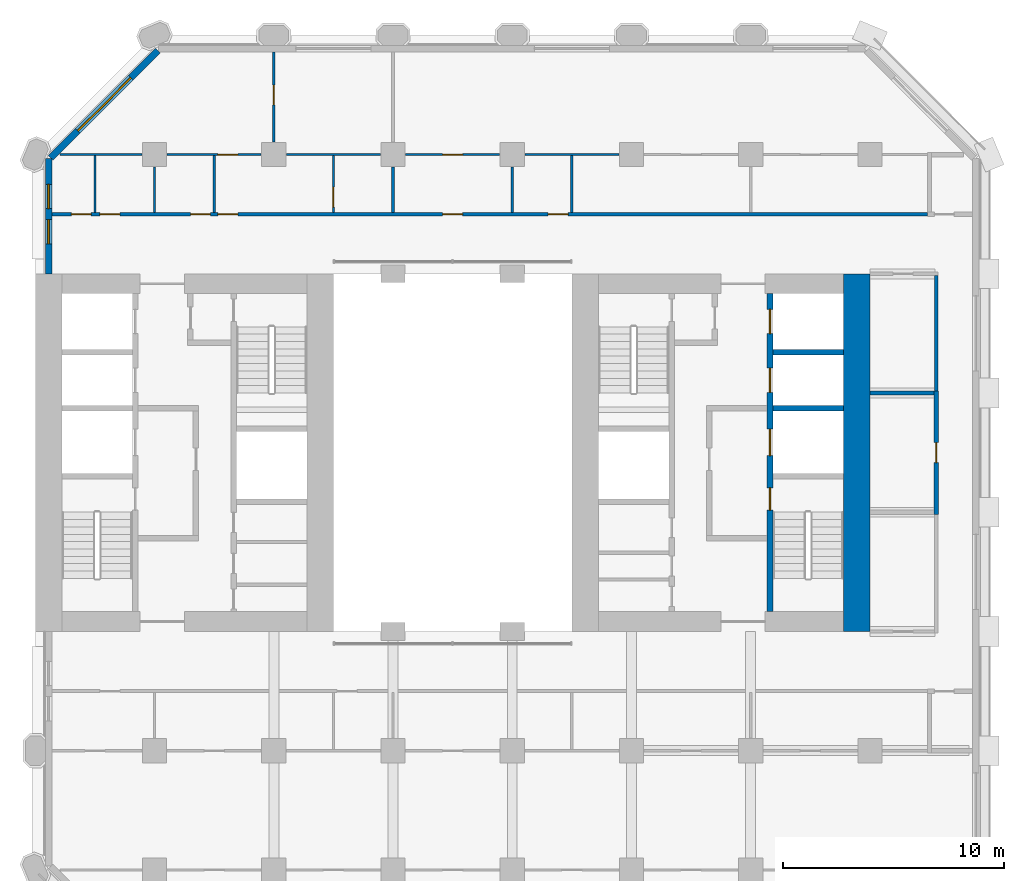
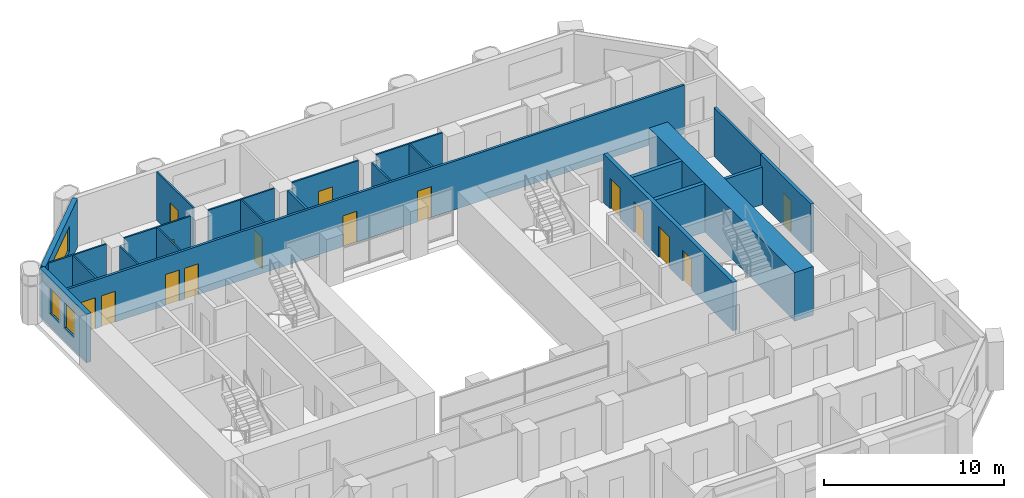
# One storey, part 10 of 13: 23 walls, 15 doors, 3 windows, 18 openings.
"""IFC4 building model written with IfcOpenShell, lengths in metres."""

from ifc_helpers import new_model, si_unit, direction, frame, frame_2d, origin, place, context, subcontext, project, spatial, rectangle, extrude, material, layer, layer_set, type_object, element, fill, save


model = new_model("IFC4")

# Units and contexts
model_context = context("Model", 3, precision=1e-05, world=origin(), true_north=direction((0.0, 1.0)))
body_context = subcontext(model_context, "Body", "Model", "MODEL_VIEW")
ifc_project = project(units=[si_unit("LENGTHUNIT", "METRE"), si_unit("AREAUNIT", "SQUARE_METRE"), si_unit("VOLUMEUNIT", "CUBIC_METRE"), si_unit("PLANEANGLEUNIT", "RADIAN"), si_unit("MASSUNIT", "GRAM", prefix="KILO")], contexts=[model_context])

# Site, building, storey
site_placement = place(None, origin())
site = spatial("IfcSite", under=ifc_project, at=site_placement, CompositionType="ELEMENT")
building_placement = place(site_placement, origin())
building = spatial("IfcBuilding", under=site, at=building_placement, Name="Tabaq Tower and Sports Hall", CompositionType="ELEMENT")
storey_placement = place(building_placement, frame((0.0, 0.0, 56.39990234375)))
storey = spatial("IfcBuildingStorey", under=building, at=storey_placement, Name="L12", CompositionType="ELEMENT", Elevation=56.39990234375)

# Wall
ifc_material_1 = material(Name="Concrete C60/75", Category="concrete")
ifc_layer_1 = layer(ifc_material_1, 1.199951171875)
ifc_layer_set_1 = layer_set([ifc_layer_1], Name="Core wall 1200 Concrete C60/75")
wall_type_1 = type_object("IfcWallType", Name="Core wall 1200 Concrete C60/75", PredefinedType="SOLIDWALL", material=ifc_layer_set_1)
wall_1_placement = place(storey_placement, frame((42.60009765625, 32.39990234375, 0.0), z_axis=(0.0, 0.0, 1.0), x_axis=(0.0, -1.0, 0.0)))
element("IfcWall", 1, at=wall_1_placement, inside=storey, type_object=wall_type_1, Name="Core wall E L12", PredefinedType="SOLIDWALL", context=body_context, shape_type="SweptSolid", body=[
    extrude(rectangle(XDim=16.199951171875, YDim=1.199951171875, at=frame_2d((8.10009765625, 0.0))), origin(), (0.0, 0.0, 1.0), 3.300048828125),
])

# Wall, opening, door
ifc_material_2 = material(Name="Blockwork", Category="masonry")
ifc_layer_2 = layer(ifc_material_2, 0.199951171875)
ifc_layer_set_2 = layer_set([ifc_layer_2], Name="Fire compartment wall 200 Blockwork")
wall_type_2 = type_object("IfcWallType", Name="Fire compartment wall 200 Blockwork", PredefinedType="PARTITIONING", material=ifc_layer_set_2)
wall_2_placement = place(storey_placement, frame((46.199951171875, 27.10009765625, 0.0), z_axis=(0.0, 0.0, 1.0), x_axis=(0.0, -1.0, 0.0)))
wall_2 = element("IfcWall", 2, at=wall_2_placement, inside=storey, type_object=wall_type_2, Name="Compartment wall L12", PredefinedType="PARTITIONING", context=body_context, shape_type="SweptSolid", body=[
    extrude(rectangle(XDim=5.60009765625, YDim=0.199951171875, at=frame_2d((2.800048828125, 0.0))), origin(), (0.0, 0.0, 1.0), 3.300048828125),
])
opening_1_placement = place(wall_2_placement, frame((2.35009765625, 0.0, 0.0)))
opening_1 = element("IfcOpeningElement", 3, at=opening_1_placement, cuts=wall_2, Name="Opening L12-009", PredefinedType="OPENING", context=body_context, shape_type="SweptSolid", body=[
    extrude(rectangle(XDim=0.89990234375, YDim=2.10009765625, at=frame_2d((0.449951171875, 1.050048828125))), frame((0.0, 0.10009765625, 0.0), z_axis=(0.0, -1.0, 0.0), x_axis=(1.0, 0.0, 0.0)), (0.0, 0.0, 1.0), 0.199951171875),
])
ifc_material_3 = material(Name="Steel fire door", Category="steel")
door_type_1 = type_object("IfcDoorType", Name="Plant room door 900 left hand", OperationType="SINGLE_SWING_LEFT", PredefinedType="DOOR", material=ifc_material_3)
door_1_placement = place(opening_1_placement, origin())
door_1 = element("IfcDoor", 4, at=door_1_placement, inside=storey, type_object=door_type_1, Name="Plant room door L12-009", OperationType="SINGLE_SWING_LEFT", OverallHeight=2.10009765625, OverallWidth=0.89990234375, PredefinedType="DOOR", context=body_context, shape_type="SweptSolid", body=[
    extrude(rectangle(XDim=0.89990234375, YDim=2.10009765625, at=frame_2d((0.449951171875, 1.050048828125))), frame((0.0, 0.02490234375, 0.0), z_axis=(0.0, -1.0, 0.0), x_axis=(1.0, 0.0, 0.0)), (0.0, 0.0, 1.0), 0.050048828125),
])
fill(opening_1, door_1)

# Walls
wall_3_placement = place(storey_placement, frame((46.10009765625, 27.0, 0.0), z_axis=(0.0, 0.0, 1.0), x_axis=(-1.0, 0.0, 0.0)))
element("IfcWall", 5, at=wall_3_placement, inside=storey, type_object=wall_type_2, Name="Compartment wall L12", PredefinedType="PARTITIONING", context=body_context, shape_type="SweptSolid", body=[
    extrude(rectangle(XDim=2.900146484375, YDim=0.199951171875, at=frame_2d((1.4501953125, 0.0))), origin(), (0.0, 0.0, 1.0), 2.550048828125),
])
ifc_material_4 = material(Name="Gypsum board on steel studs", Category="steel")
ifc_layer_3 = layer(ifc_material_4, 0.10009765625)
ifc_layer_set_3 = layer_set([ifc_layer_3], Name="Partition 100 Gypsum board")
wall_type_3 = type_object("IfcWallType", Name="Partition 100 Gypsum board", PredefinedType="PARTITIONING", material=ifc_layer_set_3)
wall_4_placement = place(storey_placement, frame((8.10009765625, 35.175048828125, 0.0), z_axis=(0.0, 0.0, 1.0), x_axis=(0.0, 1.0, 0.0)))
element("IfcWall", 6, at=wall_4_placement, inside=storey, type_object=wall_type_3, Name="Partition wall L12", PredefinedType="PARTITIONING", context=body_context, shape_type="SweptSolid", body=[
    extrude(rectangle(XDim=2.574951171875, YDim=0.10009765625, at=frame_2d((1.28759765625, 0.0))), origin(), (0.0, 0.0, 1.0), 3.300048828125),
])
wall_5_placement = place(storey_placement, frame((10.800048828125, 35.175048828125, 0.0), z_axis=(0.0, 0.0, 1.0), x_axis=(0.0, 1.0, 0.0)))
element("IfcWall", 7, at=wall_5_placement, inside=storey, type_object=wall_type_3, Name="Partition wall L12", PredefinedType="PARTITIONING", context=body_context, shape_type="SweptSolid", body=[
    extrude(rectangle(XDim=2.054931640625, YDim=0.10009765625, at=frame_2d((1.02734375, 0.0))), origin(), (0.0, 0.0, 1.0), 3.300048828125),
])
wall_6_placement = place(storey_placement, frame((10.22998046875, 37.800048828125, 0.0), z_axis=(0.0, 0.0, 1.0), x_axis=(-1.0, 0.0, 0.0)))
element("IfcWall", 8, at=wall_6_placement, inside=storey, type_object=wall_type_3, Name="Partition wall L12", PredefinedType="PARTITIONING", context=body_context, shape_type="SweptSolid", body=[
    extrude(rectangle(XDim=3.7177734375, YDim=0.10009765625, at=frame_2d((1.85888671875, 0.0))), origin(), (0.0, 0.0, 1.0), 3.300048828125),
])
wall_7_placement = place(storey_placement, frame((13.5, 35.175048828125, 0.0), z_axis=(0.0, 0.0, 1.0), x_axis=(0.0, 1.0, 0.0)))
element("IfcWall", 9, at=wall_7_placement, inside=storey, type_object=wall_type_3, Name="Partition wall L12", PredefinedType="PARTITIONING", context=body_context, shape_type="SweptSolid", body=[
    extrude(rectangle(XDim=2.574951171875, YDim=0.10009765625, at=frame_2d((1.28759765625, 0.0))), origin(), (0.0, 0.0, 1.0), 3.300048828125),
])

# Wall, opening, door
wall_8_placement = place(storey_placement, frame((18.89990234375, 35.175048828125, 0.0), z_axis=(0.0, 0.0, 1.0), x_axis=(0.0, 1.0, 0.0)))
wall_8 = element("IfcWall", 10, at=wall_8_placement, inside=storey, type_object=wall_type_3, Name="Partition wall L12", PredefinedType="PARTITIONING", context=body_context, shape_type="SweptSolid", body=[
    extrude(rectangle(XDim=2.574951171875, YDim=0.10009765625, at=frame_2d((1.28759765625, 0.0))), origin(), (0.0, 0.0, 1.0), 3.300048828125),
])
opening_2_placement = place(wall_8_placement, frame((0.25, 0.0, 0.0)))
opening_2 = element("IfcOpeningElement", 11, at=opening_2_placement, cuts=wall_8, Name="Opening L12-011", PredefinedType="OPENING", context=body_context, shape_type="SweptSolid", body=[
    extrude(rectangle(XDim=0.89990234375, YDim=2.10009765625, at=frame_2d((0.449951171875, 1.050048828125))), frame((0.0, 0.050048828125, 0.0), z_axis=(0.0, -1.0, 0.0), x_axis=(1.0, 0.0, 0.0)), (0.0, 0.0, 1.0), 0.10009765625),
])
ifc_material_5 = material(Name="Timber leaf in steel frame", Category="steel")
door_type_2 = type_object("IfcDoorType", Name="Internal door 900 left hand", OperationType="SINGLE_SWING_LEFT", PredefinedType="DOOR", material=ifc_material_5)
door_2_placement = place(opening_2_placement, origin())
door_2 = element("IfcDoor", 12, at=door_2_placement, inside=storey, type_object=door_type_2, Name="Internal door L12-011", OperationType="SINGLE_SWING_LEFT", OverallHeight=2.10009765625, OverallWidth=0.89990234375, PredefinedType="DOOR", context=body_context, shape_type="SweptSolid", body=[
    extrude(rectangle(XDim=0.89990234375, YDim=2.10009765625, at=frame_2d((0.449951171875, 1.050048828125))), frame((0.0, 0.02490234375, 0.0), z_axis=(0.0, -1.0, 0.0), x_axis=(1.0, 0.0, 0.0)), (0.0, 0.0, 1.0), 0.050048828125),
])
fill(opening_2, door_2)

wall_9_placement = place(storey_placement, frame((15.6298828125, 37.800048828125, 0.0), z_axis=(0.0, 0.0, 1.0), x_axis=(-1.0, 0.0, 0.0)))
wall_9 = element("IfcWall", 13, at=wall_9_placement, inside=storey, type_object=wall_type_3, Name="Partition wall L12", PredefinedType="PARTITIONING", context=body_context, shape_type="SweptSolid", body=[
    extrude(rectangle(XDim=4.259765625, YDim=0.10009765625, at=frame_2d((2.1298828125, 0.0))), origin(), (0.0, 0.0, 1.0), 3.300048828125),
])
opening_3_placement = place(wall_9_placement, frame((1.06005859375, 0.0, 0.0)))
opening_3 = element("IfcOpeningElement", 14, at=opening_3_placement, cuts=wall_9, Name="Opening L12-028", PredefinedType="OPENING", context=body_context, shape_type="SweptSolid", body=[
    extrude(rectangle(XDim=0.89990234375, YDim=2.10009765625, at=frame_2d((0.449951171875, 1.050048828125))), frame((0.0, 0.050048828125, 0.0), z_axis=(0.0, -1.0, 0.0), x_axis=(1.0, 0.0, 0.0)), (0.0, 0.0, 1.0), 0.10009765625),
])
door_3_placement = place(opening_3_placement, origin())
door_3 = element("IfcDoor", 15, at=door_3_placement, inside=storey, type_object=door_type_2, Name="Internal door L12-028", OperationType="SINGLE_SWING_LEFT", OverallHeight=2.10009765625, OverallWidth=0.89990234375, PredefinedType="DOOR", context=body_context, shape_type="SweptSolid", body=[
    extrude(rectangle(XDim=0.89990234375, YDim=2.10009765625, at=frame_2d((0.449951171875, 1.050048828125))), frame((0.0, 0.02490234375, 0.0), z_axis=(0.0, -1.0, 0.0), x_axis=(1.0, 0.0, 0.0)), (0.0, 0.0, 1.0), 0.050048828125),
])
fill(opening_3, door_3)

# Wall
wall_10_placement = place(storey_placement, frame((21.030029296875, 37.800048828125, 0.0), z_axis=(0.0, 0.0, 1.0), x_axis=(-1.0, 0.0, 0.0)))
element("IfcWall", 16, at=wall_10_placement, inside=storey, type_object=wall_type_3, Name="Partition wall L12", PredefinedType="PARTITIONING", context=body_context, shape_type="SweptSolid", body=[
    extrude(rectangle(XDim=4.260009765625, YDim=0.10009765625, at=frame_2d((2.1298828125, 0.0))), origin(), (0.0, 0.0, 1.0), 3.300048828125),
])

# Wall, opening, door
wall_11_placement = place(storey_placement, frame((16.199951171875, 38.3701171875, 0.0), z_axis=(0.0, 0.0, 1.0), x_axis=(0.0, 1.0, 0.0)))
wall_11 = element("IfcWall", 17, at=wall_11_placement, inside=storey, type_object=wall_type_3, Name="Partition wall L12", PredefinedType="PARTITIONING", context=body_context, shape_type="SweptSolid", body=[
    extrude(rectangle(XDim=4.078857421875, YDim=0.10009765625, at=frame_2d((2.03955078125, 0.0))), origin(), (0.0, 0.0, 1.0), 3.300048828125),
])
opening_4_placement = place(wall_11_placement, frame((1.679931640625, 0.0, 0.0)))
opening_4 = element("IfcOpeningElement", 18, at=opening_4_placement, cuts=wall_11, Name="Opening L12-012", PredefinedType="OPENING", context=body_context, shape_type="SweptSolid", body=[
    extrude(rectangle(XDim=0.89990234375, YDim=2.10009765625, at=frame_2d((0.449951171875, 1.050048828125))), frame((0.0, 0.050048828125, 0.0), z_axis=(0.0, -1.0, 0.0), x_axis=(1.0, 0.0, 0.0)), (0.0, 0.0, 1.0), 0.10009765625),
])
door_4_placement = place(opening_4_placement, origin())
door_4 = element("IfcDoor", 19, at=door_4_placement, inside=storey, type_object=door_type_2, Name="Internal door L12-012", OperationType="SINGLE_SWING_LEFT", OverallHeight=2.10009765625, OverallWidth=0.89990234375, PredefinedType="DOOR", context=body_context, shape_type="SweptSolid", body=[
    extrude(rectangle(XDim=0.89990234375, YDim=2.10009765625, at=frame_2d((0.449951171875, 1.050048828125))), frame((0.0, 0.02490234375, 0.0), z_axis=(0.0, -1.0, 0.0), x_axis=(1.0, 0.0, 0.0)), (0.0, 0.0, 1.0), 0.050048828125),
])
fill(opening_4, door_4)

# Wall
wall_12_placement = place(storey_placement, frame((27.0, 35.175048828125, 0.0), z_axis=(0.0, 0.0, 1.0), x_axis=(0.0, 1.0, 0.0)))
element("IfcWall", 20, at=wall_12_placement, inside=storey, type_object=wall_type_3, Name="Partition wall L12", PredefinedType="PARTITIONING", context=body_context, shape_type="SweptSolid", body=[
    extrude(rectangle(XDim=2.054931640625, YDim=0.10009765625, at=frame_2d((1.02734375, 0.0))), origin(), (0.0, 0.0, 1.0), 3.300048828125),
])

# Wall, opening, door
wall_13_placement = place(storey_placement, frame((26.429931640625, 37.800048828125, 0.0), z_axis=(0.0, 0.0, 1.0), x_axis=(-1.0, 0.0, 0.0)))
wall_13 = element("IfcWall", 21, at=wall_13_placement, inside=storey, type_object=wall_type_3, Name="Partition wall L12", PredefinedType="PARTITIONING", context=body_context, shape_type="SweptSolid", body=[
    extrude(rectangle(XDim=4.260009765625, YDim=0.10009765625, at=frame_2d((2.1298828125, 0.0))), origin(), (0.0, 0.0, 1.0), 3.300048828125),
])
opening_5_placement = place(wall_13_placement, frame((1.679931640625, 0.0, 0.0)))
opening_5 = element("IfcOpeningElement", 22, at=opening_5_placement, cuts=wall_13, Name="Opening L12-029", PredefinedType="OPENING", context=body_context, shape_type="SweptSolid", body=[
    extrude(rectangle(XDim=0.89990234375, YDim=2.10009765625, at=frame_2d((0.449951171875, 1.050048828125))), frame((0.0, 0.050048828125, 0.0), z_axis=(0.0, -1.0, 0.0), x_axis=(1.0, 0.0, 0.0)), (0.0, 0.0, 1.0), 0.10009765625),
])
ifc_material_6 = material(Name="Timber leaf in steel frame", Category="steel")
door_type_3 = type_object("IfcDoorType", Name="Internal door 900 right hand", OperationType="SINGLE_SWING_RIGHT", PredefinedType="DOOR", material=ifc_material_6)
door_5_placement = place(opening_5_placement, origin())
door_5 = element("IfcDoor", 23, at=door_5_placement, inside=storey, type_object=door_type_3, Name="Internal door L12-029", OperationType="SINGLE_SWING_RIGHT", OverallHeight=2.10009765625, OverallWidth=0.89990234375, PredefinedType="DOOR", context=body_context, shape_type="SweptSolid", body=[
    extrude(rectangle(XDim=0.89990234375, YDim=2.10009765625, at=frame_2d((0.449951171875, 1.050048828125))), frame((0.0, 0.02490234375, 0.0), z_axis=(0.0, -1.0, 0.0), x_axis=(1.0, 0.0, 0.0)), (0.0, 0.0, 1.0), 0.050048828125),
])
fill(opening_5, door_5)

# Walls
wall_14_placement = place(storey_placement, frame((29.699951171875, 35.175048828125, 0.0), z_axis=(0.0, 0.0, 1.0), x_axis=(0.0, 1.0, 0.0)))
element("IfcWall", 24, at=wall_14_placement, inside=storey, type_object=wall_type_3, Name="Partition wall L12", PredefinedType="PARTITIONING", context=body_context, shape_type="SweptSolid", body=[
    extrude(rectangle(XDim=2.574951171875, YDim=0.10009765625, at=frame_2d((1.28759765625, 0.0))), origin(), (0.0, 0.0, 1.0), 3.300048828125),
])
wall_15_placement = place(storey_placement, frame((31.830078125, 37.800048828125, 0.0), z_axis=(0.0, 0.0, 1.0), x_axis=(-1.0, 0.0, 0.0)))
element("IfcWall", 25, at=wall_15_placement, inside=storey, type_object=wall_type_3, Name="Partition wall L12", PredefinedType="PARTITIONING", context=body_context, shape_type="SweptSolid", body=[
    extrude(rectangle(XDim=4.260009765625, YDim=0.10009765625, at=frame_2d((2.1298828125, 0.0))), origin(), (0.0, 0.0, 1.0), 3.300048828125),
])

# Wall, openings, doors
ifc_material_7 = material(Name="Blockwork", Category="masonry")
ifc_layer_4 = layer(ifc_material_7, 0.14990234375)
ifc_layer_set_4 = layer_set([ifc_layer_4], Name="Separating wall 150 Blockwork")
wall_type_4 = type_object("IfcWallType", Name="Separating wall 150 Blockwork", PredefinedType="PARTITIONING", material=ifc_layer_set_4)
wall_16_placement = place(storey_placement, frame((45.800048828125, 35.10009765625, 0.0), z_axis=(0.0, 0.0, 1.0), x_axis=(-1.0, 0.0, 0.0)))
wall_16 = element("IfcWall", 26, at=wall_16_placement, inside=storey, type_object=wall_type_4, Name="Separating wall L12", PredefinedType="PARTITIONING", context=body_context, shape_type="SweptSolid", body=[
    extrude(rectangle(XDim=39.649169921875, YDim=0.14990234375, at=frame_2d((19.82470703125, 0.0))), origin(), (0.0, 0.0, 1.0), 3.300048828125),
])
opening_6_placement = place(wall_16_placement, frame((37.8701171875, 0.0, 0.0)))
opening_6 = element("IfcOpeningElement", 27, at=opening_6_placement, cuts=wall_16, Name="Opening L12-001", PredefinedType="OPENING", context=body_context, shape_type="SweptSolid", body=[
    extrude(rectangle(XDim=0.89990234375, YDim=2.10009765625, at=frame_2d((0.449951171875, 1.050048828125))), frame((0.0, 0.074951171875, 0.0), z_axis=(0.0, -1.0, 0.0), x_axis=(1.0, 0.0, 0.0)), (0.0, 0.0, 1.0), 0.14990234375),
])
opening_7_placement = place(wall_16_placement, frame((36.574951171875, 0.0, 0.0)))
opening_7 = element("IfcOpeningElement", 28, at=opening_7_placement, cuts=wall_16, Name="Opening L12-002", PredefinedType="OPENING", context=body_context, shape_type="SweptSolid", body=[
    extrude(rectangle(XDim=0.89990234375, YDim=2.10009765625, at=frame_2d((0.449951171875, 1.050048828125))), frame((0.0, 0.074951171875, 0.0), z_axis=(0.0, -1.0, 0.0), x_axis=(1.0, 0.0, 0.0)), (0.0, 0.0, 1.0), 0.14990234375),
])
opening_8_placement = place(wall_16_placement, frame((32.469970703125, 0.0, 0.0)))
opening_8 = element("IfcOpeningElement", 29, at=opening_8_placement, cuts=wall_16, Name="Opening L12-003", PredefinedType="OPENING", context=body_context, shape_type="SweptSolid", body=[
    extrude(rectangle(XDim=0.89990234375, YDim=2.10009765625, at=frame_2d((0.449951171875, 1.050048828125))), frame((0.0, 0.074951171875, 0.0), z_axis=(0.0, -1.0, 0.0), x_axis=(1.0, 0.0, 0.0)), (0.0, 0.0, 1.0), 0.14990234375),
])
opening_9_placement = place(wall_16_placement, frame((16.27001953125, 0.0, 0.0)))
opening_9 = element("IfcOpeningElement", 30, at=opening_9_placement, cuts=wall_16, Name="Opening L12-004", PredefinedType="OPENING", context=body_context, shape_type="SweptSolid", body=[
    extrude(rectangle(XDim=0.89990234375, YDim=2.10009765625, at=frame_2d((0.449951171875, 1.050048828125))), frame((0.0, 0.074951171875, 0.0), z_axis=(0.0, -1.0, 0.0), x_axis=(1.0, 0.0, 0.0)), (0.0, 0.0, 1.0), 0.14990234375),
])
opening_10_placement = place(wall_16_placement, frame((21.050048828125, 0.0, 0.0)))
opening_10 = element("IfcOpeningElement", 31, at=opening_10_placement, cuts=wall_16, Name="Opening L12-026", PredefinedType="OPENING", context=body_context, shape_type="SweptSolid", body=[
    extrude(rectangle(XDim=0.89990234375, YDim=2.10009765625, at=frame_2d((0.449951171875, 1.050048828125))), frame((0.0, 0.074951171875, 0.0), z_axis=(0.0, -1.0, 0.0), x_axis=(1.0, 0.0, 0.0)), (0.0, 0.0, 1.0), 0.14990234375),
])
opening_11_placement = place(wall_16_placement, frame((31.22998046875, 0.0, 0.0)))
opening_11 = element("IfcOpeningElement", 32, at=opening_11_placement, cuts=wall_16, Name="Opening L12-031", PredefinedType="OPENING", context=body_context, shape_type="SweptSolid", body=[
    extrude(rectangle(XDim=0.89990234375, YDim=2.10009765625, at=frame_2d((0.449951171875, 1.050048828125))), frame((0.0, 0.074951171875, 0.0), z_axis=(0.0, -1.0, 0.0), x_axis=(1.0, 0.0, 0.0)), (0.0, 0.0, 1.0), 0.14990234375),
])
ifc_material_8 = material(Name="Steel fire door", Category="steel")
door_type_4 = type_object("IfcDoorType", Name="Entrance door 900 left hand", OperationType="SINGLE_SWING_LEFT", PredefinedType="DOOR", material=ifc_material_8)
door_6_placement = place(opening_6_placement, origin())
door_6 = element("IfcDoor", 33, at=door_6_placement, inside=storey, type_object=door_type_4, Name="Entrance door L12-001", OperationType="SINGLE_SWING_LEFT", OverallHeight=2.10009765625, OverallWidth=0.89990234375, PredefinedType="DOOR", context=body_context, shape_type="SweptSolid", body=[
    extrude(rectangle(XDim=0.89990234375, YDim=2.10009765625, at=frame_2d((0.449951171875, 1.050048828125))), frame((0.0, 0.02490234375, 0.0), z_axis=(0.0, -1.0, 0.0), x_axis=(1.0, 0.0, 0.0)), (0.0, 0.0, 1.0), 0.050048828125),
])
fill(opening_6, door_6)
door_7_placement = place(opening_7_placement, origin())
door_7 = element("IfcDoor", 34, at=door_7_placement, inside=storey, type_object=door_type_4, Name="Entrance door L12-002", OperationType="SINGLE_SWING_LEFT", OverallHeight=2.10009765625, OverallWidth=0.89990234375, PredefinedType="DOOR", context=body_context, shape_type="SweptSolid", body=[
    extrude(rectangle(XDim=0.89990234375, YDim=2.10009765625, at=frame_2d((0.449951171875, 1.050048828125))), frame((0.0, 0.02490234375, 0.0), z_axis=(0.0, -1.0, 0.0), x_axis=(1.0, 0.0, 0.0)), (0.0, 0.0, 1.0), 0.050048828125),
])
fill(opening_7, door_7)
door_8_placement = place(opening_8_placement, origin())
door_8 = element("IfcDoor", 35, at=door_8_placement, inside=storey, type_object=door_type_4, Name="Entrance door L12-003", OperationType="SINGLE_SWING_LEFT", OverallHeight=2.10009765625, OverallWidth=0.89990234375, PredefinedType="DOOR", context=body_context, shape_type="SweptSolid", body=[
    extrude(rectangle(XDim=0.89990234375, YDim=2.10009765625, at=frame_2d((0.449951171875, 1.050048828125))), frame((0.0, 0.02490234375, 0.0), z_axis=(0.0, -1.0, 0.0), x_axis=(1.0, 0.0, 0.0)), (0.0, 0.0, 1.0), 0.050048828125),
])
fill(opening_8, door_8)
door_9_placement = place(opening_9_placement, origin())
door_9 = element("IfcDoor", 36, at=door_9_placement, inside=storey, type_object=door_type_4, Name="Entrance door L12-004", OperationType="SINGLE_SWING_LEFT", OverallHeight=2.10009765625, OverallWidth=0.89990234375, PredefinedType="DOOR", context=body_context, shape_type="SweptSolid", body=[
    extrude(rectangle(XDim=0.89990234375, YDim=2.10009765625, at=frame_2d((0.449951171875, 1.050048828125))), frame((0.0, 0.02490234375, 0.0), z_axis=(0.0, -1.0, 0.0), x_axis=(1.0, 0.0, 0.0)), (0.0, 0.0, 1.0), 0.050048828125),
])
fill(opening_9, door_9)
door_10_placement = place(opening_10_placement, origin())
door_10 = element("IfcDoor", 37, at=door_10_placement, inside=storey, type_object=door_type_4, Name="Entrance door L12-026", OperationType="SINGLE_SWING_LEFT", OverallHeight=2.10009765625, OverallWidth=0.89990234375, PredefinedType="DOOR", context=body_context, shape_type="SweptSolid", body=[
    extrude(rectangle(XDim=0.89990234375, YDim=2.10009765625, at=frame_2d((0.449951171875, 1.050048828125))), frame((0.0, 0.02490234375, 0.0), z_axis=(0.0, -1.0, 0.0), x_axis=(1.0, 0.0, 0.0)), (0.0, 0.0, 1.0), 0.050048828125),
])
fill(opening_10, door_10)
door_11_placement = place(opening_11_placement, origin())
door_11 = element("IfcDoor", 38, at=door_11_placement, inside=storey, type_object=door_type_4, Name="Entrance door L12-031", OperationType="SINGLE_SWING_LEFT", OverallHeight=2.10009765625, OverallWidth=0.89990234375, PredefinedType="DOOR", context=body_context, shape_type="SweptSolid", body=[
    extrude(rectangle(XDim=0.89990234375, YDim=2.10009765625, at=frame_2d((0.449951171875, 1.050048828125))), frame((0.0, 0.02490234375, 0.0), z_axis=(0.0, -1.0, 0.0), x_axis=(1.0, 0.0, 0.0)), (0.0, 0.0, 1.0), 0.050048828125),
])
fill(opening_11, door_11)

# Walls
wall_17_placement = place(storey_placement, frame((46.199951171875, 32.324951171875, 0.0), z_axis=(0.0, 0.0, 1.0), x_axis=(0.0, -1.0, 0.0)))
element("IfcWall", 39, at=wall_17_placement, inside=storey, type_object=wall_type_4, Name="Separating wall L12", PredefinedType="PARTITIONING", context=body_context, shape_type="SweptSolid", body=[
    extrude(rectangle(XDim=5.224853515625, YDim=0.14990234375, at=frame_2d((2.6123046875, 0.0))), origin(), (0.0, 0.0, 1.0), 3.300048828125),
])
wall_18_placement = place(storey_placement, frame((21.60009765625, 35.175048828125, 0.0), z_axis=(0.0, 0.0, 1.0), x_axis=(0.0, 1.0, 0.0)))
element("IfcWall", 40, at=wall_18_placement, inside=storey, type_object=wall_type_4, Name="Separating wall L12", PredefinedType="PARTITIONING", context=body_context, shape_type="SweptSolid", body=[
    extrude(rectangle(XDim=2.054931640625, YDim=0.14990234375, at=frame_2d((1.02734375, 0.0))), origin(), (0.0, 0.0, 1.0), 3.300048828125),
])

# Wall, openings, doors
ifc_material_9 = material(Name="Concrete C40/50", Category="concrete")
ifc_layer_5 = layer(ifc_material_9, 0.25)
ifc_layer_set_5 = layer_set([ifc_layer_5], Name="Shaft and stair wall 250 Concrete C40/50")
wall_type_5 = type_object("IfcWallType", Name="Shaft and stair wall 250 Concrete C40/50", PredefinedType="SOLIDWALL", material=ifc_layer_set_5)
wall_19_placement = place(storey_placement, frame((38.675048828125, 17.10009765625, 0.0), z_axis=(0.0, 0.0, 1.0), x_axis=(0.0, 1.0, 0.0)))
wall_19 = element("IfcWall", 41, at=wall_19_placement, inside=storey, type_object=wall_type_5, Name="Shaft wall E L12", PredefinedType="SOLIDWALL", context=body_context, shape_type="SweptSolid", body=[
    extrude(rectangle(XDim=14.39990234375, YDim=0.25, at=frame_2d((7.199951171875, 0.0))), origin(), (0.0, 0.0, 1.0), 3.300048828125),
])
opening_12_placement = place(wall_19_placement, frame((4.60009765625, 0.0, 0.0)))
opening_12 = element("IfcOpeningElement", 42, at=opening_12_placement, cuts=wall_19, Name="Opening SD-EL12-03", PredefinedType="OPENING", context=body_context, shape_type="SweptSolid", body=[
    extrude(rectangle(XDim=1.0, YDim=2.10009765625, at=frame_2d((0.5, 1.050048828125))), frame((0.0, 0.125, 0.0), z_axis=(0.0, -1.0, 0.0), x_axis=(1.0, 0.0, 0.0)), (0.0, 0.0, 1.0), 0.25),
])
opening_13_placement = place(wall_19_placement, frame((7.0625, 0.0, 0.0)))
opening_13 = element("IfcOpeningElement", 43, at=opening_13_placement, cuts=wall_19, Name="Opening LD-FF2-L12", PredefinedType="OPENING", context=body_context, shape_type="SweptSolid", body=[
    extrude(rectangle(XDim=1.199951171875, YDim=2.10009765625, at=frame_2d((0.60009765625, 1.050048828125))), frame((0.0, 0.125, 0.0), z_axis=(0.0, -1.0, 0.0), x_axis=(1.0, 0.0, 0.0)), (0.0, 0.0, 1.0), 0.25),
])
opening_14_placement = place(wall_19_placement, frame((9.925048828125, 0.0, 0.0)))
opening_14 = element("IfcOpeningElement", 44, at=opening_14_placement, cuts=wall_19, Name="Opening LD-LR3-L12", PredefinedType="OPENING", context=body_context, shape_type="SweptSolid", body=[
    extrude(rectangle(XDim=1.10009765625, YDim=2.10009765625, at=frame_2d((0.550048828125, 1.050048828125))), frame((0.0, 0.125, 0.0), z_axis=(0.0, -1.0, 0.0), x_axis=(1.0, 0.0, 0.0)), (0.0, 0.0, 1.0), 0.25),
])
opening_15_placement = place(wall_19_placement, frame((12.58740234375, 0.0, 0.0)))
opening_15 = element("IfcOpeningElement", 45, at=opening_15_placement, cuts=wall_19, Name="Opening LD-LR4-L12", PredefinedType="OPENING", context=body_context, shape_type="SweptSolid", body=[
    extrude(rectangle(XDim=1.10009765625, YDim=2.10009765625, at=frame_2d((0.550048828125, 1.050048828125))), frame((0.0, 0.125, 0.0), z_axis=(0.0, -1.0, 0.0), x_axis=(1.0, 0.0, 0.0)), (0.0, 0.0, 1.0), 0.25),
])
ifc_material_10 = material(Name="Stainless steel", Category="steel")
door_type_5 = type_object("IfcDoorType", Name="Lift landing door 1100", OperationType="DOUBLE_DOOR_SLIDING", PredefinedType="DOOR", material=ifc_material_10)
door_12_placement = place(opening_14_placement, origin())
door_12 = element("IfcDoor", 46, at=door_12_placement, inside=storey, type_object=door_type_5, Name="Lift landing door LR3 E L12", OperationType="DOUBLE_DOOR_SLIDING", OverallHeight=2.10009765625, OverallWidth=1.10009765625, PredefinedType="DOOR", context=body_context, shape_type="SweptSolid", body=[
    extrude(rectangle(XDim=1.10009765625, YDim=2.10009765625, at=frame_2d((0.550048828125, 1.050048828125))), frame((0.0, 0.02490234375, 0.0), z_axis=(0.0, -1.0, 0.0), x_axis=(1.0, 0.0, 0.0)), (0.0, 0.0, 1.0), 0.050048828125),
])
fill(opening_14, door_12)
door_13_placement = place(opening_15_placement, origin())
door_13 = element("IfcDoor", 47, at=door_13_placement, inside=storey, type_object=door_type_5, Name="Lift landing door LR4 E L12", OperationType="DOUBLE_DOOR_SLIDING", OverallHeight=2.10009765625, OverallWidth=1.10009765625, PredefinedType="DOOR", context=body_context, shape_type="SweptSolid", body=[
    extrude(rectangle(XDim=1.10009765625, YDim=2.10009765625, at=frame_2d((0.550048828125, 1.050048828125))), frame((0.0, 0.02490234375, 0.0), z_axis=(0.0, -1.0, 0.0), x_axis=(1.0, 0.0, 0.0)), (0.0, 0.0, 1.0), 0.050048828125),
])
fill(opening_15, door_13)
ifc_material_11 = material(Name="Stainless steel", Category="steel")
door_type_6 = type_object("IfcDoorType", Name="Lift landing door 1200", OperationType="DOUBLE_DOOR_SLIDING", PredefinedType="DOOR", material=ifc_material_11)
door_14_placement = place(opening_13_placement, origin())
door_14 = element("IfcDoor", 48, at=door_14_placement, inside=storey, type_object=door_type_6, Name="Lift landing door FF2 E L12", OperationType="DOUBLE_DOOR_SLIDING", OverallHeight=2.10009765625, OverallWidth=1.199951171875, PredefinedType="DOOR", context=body_context, shape_type="SweptSolid", body=[
    extrude(rectangle(XDim=1.199951171875, YDim=2.10009765625, at=frame_2d((0.60009765625, 1.050048828125))), frame((0.0, 0.02490234375, 0.0), z_axis=(0.0, -1.0, 0.0), x_axis=(1.0, 0.0, 0.0)), (0.0, 0.0, 1.0), 0.050048828125),
])
fill(opening_13, door_14)
ifc_material_12 = material(Name="Steel fire door", Category="steel")
door_type_7 = type_object("IfcDoorType", Name="Stair door 1000", OperationType="SINGLE_SWING_LEFT", PredefinedType="DOOR", material=ifc_material_12)
door_15_placement = place(opening_12_placement, origin())
door_15 = element("IfcDoor", 49, at=door_15_placement, inside=storey, type_object=door_type_7, Name="Stair door ST3 E L12", OperationType="SINGLE_SWING_LEFT", OverallHeight=2.10009765625, OverallWidth=1.0, PredefinedType="DOOR", context=body_context, shape_type="SweptSolid", body=[
    extrude(rectangle(XDim=1.0, YDim=2.10009765625, at=frame_2d((0.5, 1.050048828125))), frame((0.0, 0.02490234375, 0.0), z_axis=(0.0, -1.0, 0.0), x_axis=(1.0, 0.0, 0.0)), (0.0, 0.0, 1.0), 0.050048828125),
])
fill(opening_12, door_15)

# Walls
for number, where, z_axis, x_axis, name in (
    (50, (38.800048828125, 26.300048828125, 0.0), (0.0, 0.0, 1.0), (1.0, 0.0, 0.0), "Shaft wall E L12"),
    (51, (38.800048828125, 28.85009765625, 0.0), (0.0, 0.0, 1.0), (1.0, 0.0, 0.0), "Shaft wall E L12"),
):
    element("IfcWall", number, at=place(storey_placement, frame(where, z_axis=z_axis, x_axis=x_axis)), inside=storey, type_object=wall_type_5, Name=name, PredefinedType="SOLIDWALL", context=body_context, shape_type="SweptSolid", body=[
        extrude(rectangle(XDim=3.199951171875, YDim=0.25, at=frame_2d((1.60009765625, 0.0))), origin(), (0.0, 0.0, 1.0), 3.300048828125),
    ])

# Wall, opening, window
ifc_material_13 = material(Name="White precast concrete C60/75", Category="concrete")
ifc_layer_6 = layer(ifc_material_13, 0.300048828125)
ifc_layer_set_6 = layer_set([ifc_layer_6], Name="White precast concrete C60/75 external wall 300")
wall_type_6 = type_object("IfcWallType", Name="White precast concrete C60/75 external wall 300", PredefinedType="SOLIDWALL", material=ifc_layer_set_6)
wall_20_placement = place(storey_placement, frame((10.949462890625, 42.5009765625, 0.0), z_axis=(0.0, 0.0, 1.0), x_axis=(-0.707106781187, -0.707106781187, 0.0)))
wall_20 = element("IfcWall", 52, at=wall_20_placement, inside=storey, type_object=wall_type_6, Name="External Wall L12 NW", PredefinedType="SOLIDWALL", context=body_context, shape_type="SweptSolid", body=[
    extrude(rectangle(XDim=6.85986328125, YDim=0.300048828125, at=frame_2d((3.429931640625, 0.0))), origin(), (0.0, 0.0, 1.0), 3.300048828125),
])
opening_16_placement = place(wall_20_placement, frame((1.729736328125, 0.0, 0.89990234375)))
opening_16 = element("IfcOpeningElement", 53, at=opening_16_placement, cuts=wall_20, Name="Opening W1A", PredefinedType="OPENING", context=body_context, shape_type="SweptSolid", body=[
    extrude(rectangle(XDim=3.39990234375, YDim=1.699951171875, at=frame_2d((1.699951171875, 0.85009765625))), frame((0.0, 0.16015625, 0.0), z_axis=(0.0, -1.0, 0.0), x_axis=(1.0, 0.0, 0.0)), (0.0, 0.0, 1.0), 0.320068359375),
])
ifc_material_14 = material(Name="Aluminium framed clear glazing", Category="aluminium")
window_type_1 = type_object("IfcWindowType", Name="Window W1A", PartitioningType="SINGLE_PANEL", PredefinedType="WINDOW", material=ifc_material_14)
window_1_placement = place(opening_16_placement, origin())
window_1 = element("IfcWindow", 54, at=window_1_placement, inside=storey, type_object=window_type_1, Name="Window W1A L12", OverallHeight=1.699951171875, OverallWidth=3.39990234375, PartitioningType="SINGLE_PANEL", PredefinedType="WINDOW", context=body_context, shape_type="SweptSolid", body=[
    extrude(rectangle(XDim=3.39990234375, YDim=1.699951171875, at=frame_2d((1.699951171875, 0.85009765625))), frame((0.0, 0.030029296875, 0.0), z_axis=(0.0, -1.0, 0.0), x_axis=(1.0, 0.0, 0.0)), (0.0, 0.0, 1.0), 0.06005859375),
])
fill(opening_16, window_1)

# Wall, openings, windows
wall_21_placement = place(storey_placement, frame((6.0, 37.613525390625, 0.0), z_axis=(0.0, 0.0, 1.0), x_axis=(0.0, -1.0, 0.0)))
wall_21 = element("IfcWall", 55, at=wall_21_placement, inside=storey, type_object=wall_type_6, Name="External Wall L12 W", PredefinedType="SOLIDWALL", context=body_context, shape_type="SweptSolid", body=[
    extrude(rectangle(XDim=5.213623046875, YDim=0.300048828125, at=frame_2d((2.60693359375, 0.0))), origin(), (0.0, 0.0, 1.0), 3.300048828125),
])
opening_17_placement = place(wall_21_placement, frame((1.16357421875, 0.0, 0.89990234375)))
opening_17 = element("IfcOpeningElement", 56, at=opening_17_placement, cuts=wall_21, Name="Opening W1B", PredefinedType="OPENING", context=body_context, shape_type="SweptSolid", body=[
    extrude(rectangle(XDim=1.10009765625, YDim=1.699951171875, at=frame_2d((0.550048828125, 0.85009765625))), frame((0.0, 0.16015625, 0.0), z_axis=(0.0, -1.0, 0.0), x_axis=(1.0, 0.0, 0.0)), (0.0, 0.0, 1.0), 0.320068359375),
])
opening_18_placement = place(wall_21_placement, frame((2.763671875, 0.0, 0.89990234375)))
opening_18 = element("IfcOpeningElement", 57, at=opening_18_placement, cuts=wall_21, Name="Opening W1B", PredefinedType="OPENING", context=body_context, shape_type="SweptSolid", body=[
    extrude(rectangle(XDim=1.10009765625, YDim=1.699951171875, at=frame_2d((0.550048828125, 0.85009765625))), frame((0.0, 0.16015625, 0.0), z_axis=(0.0, -1.0, 0.0), x_axis=(1.0, 0.0, 0.0)), (0.0, 0.0, 1.0), 0.320068359375),
])
ifc_material_15 = material(Name="Aluminium framed clear glazing", Category="aluminium")
window_type_2 = type_object("IfcWindowType", Name="Window W1B", PartitioningType="SINGLE_PANEL", PredefinedType="WINDOW", material=ifc_material_15)
window_2_placement = place(opening_17_placement, origin())
window_2 = element("IfcWindow", 58, at=window_2_placement, inside=storey, type_object=window_type_2, Name="Window W1B L12", OverallHeight=1.699951171875, OverallWidth=1.10009765625, PartitioningType="SINGLE_PANEL", PredefinedType="WINDOW", context=body_context, shape_type="SweptSolid", body=[
    extrude(rectangle(XDim=1.10009765625, YDim=1.699951171875, at=frame_2d((0.550048828125, 0.85009765625))), frame((0.0, 0.030029296875, 0.0), z_axis=(0.0, -1.0, 0.0), x_axis=(1.0, 0.0, 0.0)), (0.0, 0.0, 1.0), 0.06005859375),
])
fill(opening_17, window_2)
window_3_placement = place(opening_18_placement, origin())
window_3 = element("IfcWindow", 59, at=window_3_placement, inside=storey, type_object=window_type_2, Name="Window W1B L12", OverallHeight=1.699951171875, OverallWidth=1.10009765625, PartitioningType="SINGLE_PANEL", PredefinedType="WINDOW", context=body_context, shape_type="SweptSolid", body=[
    extrude(rectangle(XDim=1.10009765625, YDim=1.699951171875, at=frame_2d((0.550048828125, 0.85009765625))), frame((0.0, 0.030029296875, 0.0), z_axis=(0.0, -1.0, 0.0), x_axis=(1.0, 0.0, 0.0)), (0.0, 0.0, 1.0), 0.06005859375),
])
fill(opening_18, window_3)

save(model, "model.ifc")
